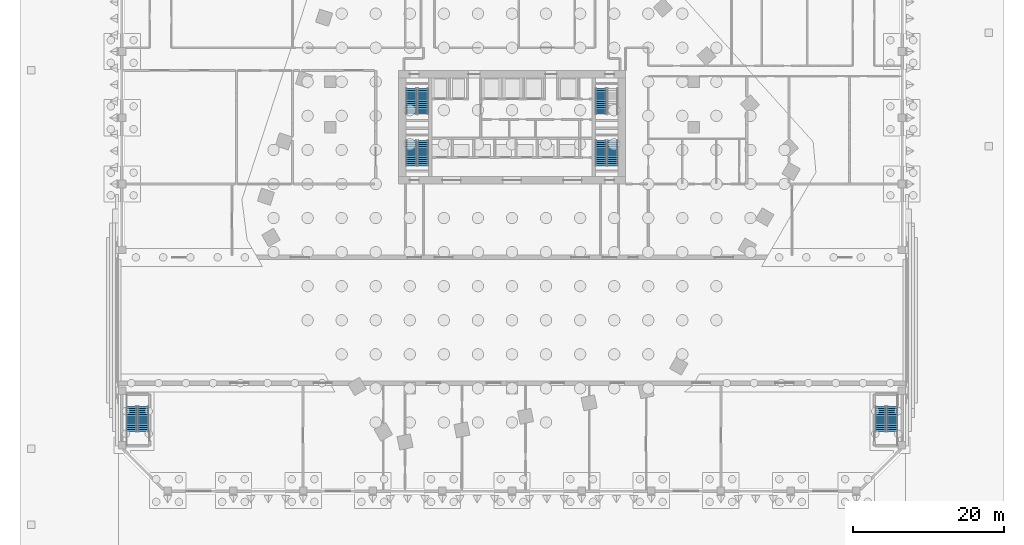
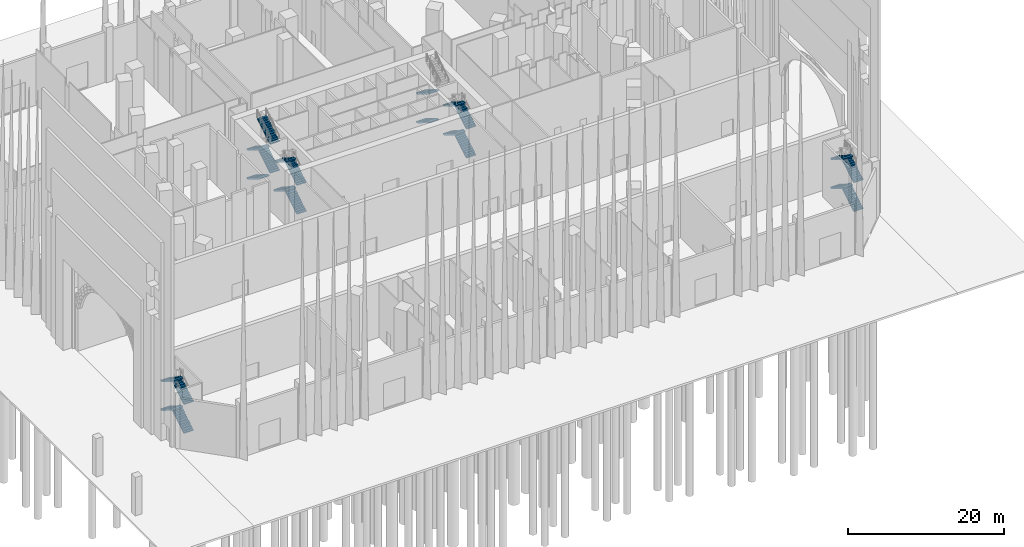
# One storey, part 16 of 32: 22 stair flights, 6 elements without a shape of their own.
"""IFC4 building model written with IfcOpenShell, lengths in metres."""

from ifc_helpers import new_model, si_unit, direction, frame, origin, place, context, subcontext, project, spatial, polyline, outline, extrude, material, type_object, element, aggregate, save


model = new_model("IFC4")

# Units and contexts
model_context = context("Model", 3, precision=1e-05, world=origin(), true_north=direction((0.0, 1.0)))
body_context = subcontext(model_context, "Body", "Model", "MODEL_VIEW")
ifc_project = project(units=[si_unit("LENGTHUNIT", "METRE"), si_unit("AREAUNIT", "SQUARE_METRE"), si_unit("VOLUMEUNIT", "CUBIC_METRE"), si_unit("PLANEANGLEUNIT", "RADIAN"), si_unit("MASSUNIT", "GRAM", prefix="KILO")], contexts=[model_context])

# Site, building, storey
site_placement = place(None, origin())
site = spatial("IfcSite", under=ifc_project, at=site_placement, CompositionType="ELEMENT")
building_placement = place(site_placement, origin())
building = spatial("IfcBuilding", under=site, at=building_placement, Name="Isthmus Gate Tower", CompositionType="ELEMENT")
storey_placement = place(building_placement, origin())
storey = spatial("IfcBuildingStorey", under=building, at=storey_placement, Name="L00", CompositionType="ELEMENT", Elevation=0.0)

# Stair, stair flights
ifc_material_1 = material(Name="Concrete f'c 40 MPa", Category="concrete")
stair_type_1 = type_object("IfcStairType", Name="Podium exit stair 1400 wide flights", PredefinedType="HALF_TURN_STAIR", material=ifc_material_1)
stair_1_placement = place(storey_placement, origin())
stair_1 = element("IfcStair", 1, at=stair_1_placement, inside=storey, type_object=stair_type_1, Name="L00 Podium Exit Stair ST3", PredefinedType="HALF_TURN_STAIR")
ifc_material_2 = material(Name="Concrete f'c 40 MPa", Category="concrete")
stair_flight_type_1 = type_object("IfcStairFlightType", Name="Podium stair flight 1400", PredefinedType="STRAIGHT", material=ifc_material_2)
stair_flight_1_placement = place(storey_placement, frame((-48.699951171875, -32.72509765625, 0.0), z_axis=(0.0, 0.0, 1.0), x_axis=(0.0, 1.0, 0.0)))
stair_flight_1 = element("IfcStairFlight", 2, at=stair_flight_1_placement, type_object=stair_flight_type_1, Name="ST3 flight 1", NumberOfRisers=13, NumberOfTreads=12, PredefinedType="STRAIGHT", RiserHeight=0.173076923, TreadLength=0.28, context=body_context, shape_type="SweptSolid", body=[
    extrude(outline(polyline([(0.0, 0.0), (0.0, 0.173095703125), (0.280029296875, 0.173095703125), (0.280029296875, 0.34619140625), (0.56005859375, 0.34619140625), (0.56005859375, 0.519287109375), (0.840087890625, 0.519287109375), (0.840087890625, 0.6923828125), (1.1201171875, 0.6923828125), (1.1201171875, 0.865478515625), (1.39990234375, 0.865478515625), (1.39990234375, 1.03857421875), (1.679931640625, 1.03857421875), (1.679931640625, 1.21142578125), (1.9599609375, 1.21142578125), (1.9599609375, 1.384521484375), (2.239990234375, 1.384521484375), (2.239990234375, 1.5576171875), (2.52001953125, 1.5576171875), (2.52001953125, 1.730712890625), (2.800048828125, 1.730712890625), (2.800048828125, 1.90380859375), (3.080078125, 1.90380859375), (3.080078125, 2.076904296875), (3.360107421875, 2.076904296875), (3.360107421875, 2.25), (3.360107421875, 1.900634765625), (0.28515625, 0.0), (0.0, 0.0)])), frame((0.0, 0.699951171875, 0.0), z_axis=(0.0, -1.0, 0.0), x_axis=(1.0, 0.0, 0.0)), (0.0, 0.0, 1.0), 1.39990234375),
])
stair_flight_2_placement = place(storey_placement, frame((-50.25, -29.364990234375, 2.25), z_axis=(0.0, 0.0, 1.0), x_axis=(0.0, -1.0, 0.0)))
stair_flight_2 = element("IfcStairFlight", 3, at=stair_flight_2_placement, type_object=stair_flight_type_1, Name="ST3 flight 2", NumberOfRisers=13, NumberOfTreads=12, PredefinedType="STRAIGHT", RiserHeight=0.173076923, TreadLength=0.28, context=body_context, shape_type="SweptSolid", body=[
    extrude(outline(polyline([(0.0, 0.0), (0.0, 0.173095703125), (0.280029296875, 0.173095703125), (0.280029296875, 0.34619140625), (0.56005859375, 0.34619140625), (0.56005859375, 0.519287109375), (0.840087890625, 0.519287109375), (0.840087890625, 0.6923828125), (1.1201171875, 0.6923828125), (1.1201171875, 0.865478515625), (1.39990234375, 0.865478515625), (1.39990234375, 1.03857421875), (1.679931640625, 1.03857421875), (1.679931640625, 1.21142578125), (1.9599609375, 1.21142578125), (1.9599609375, 1.384521484375), (2.239990234375, 1.384521484375), (2.239990234375, 1.5576171875), (2.52001953125, 1.5576171875), (2.52001953125, 1.730712890625), (2.800048828125, 1.730712890625), (2.800048828125, 1.90380859375), (3.080078125, 1.90380859375), (3.080078125, 2.076904296875), (3.360107421875, 2.076904296875), (3.360107421875, 2.25), (3.360107421875, 1.900634765625), (0.28515625, 0.0), (0.0, 0.0)])), frame((0.0, 0.699951171875, 0.0), z_axis=(0.0, -1.0, 0.0), x_axis=(1.0, 0.0, 0.0)), (0.0, 0.0, 1.0), 1.39990234375),
])
stair_flight_3_placement = place(storey_placement, frame((-48.699951171875, -32.72509765625, 4.5), z_axis=(0.0, 0.0, 1.0), x_axis=(0.0, 1.0, 0.0)))
stair_flight_3 = element("IfcStairFlight", 4, at=stair_flight_3_placement, type_object=stair_flight_type_1, Name="ST3 flight 3", NumberOfRisers=13, NumberOfTreads=12, PredefinedType="STRAIGHT", RiserHeight=0.173076923, TreadLength=0.28, context=body_context, shape_type="SweptSolid", body=[
    extrude(outline(polyline([(0.0, 0.0), (0.0, 0.173095703125), (0.280029296875, 0.173095703125), (0.280029296875, 0.34619140625), (0.56005859375, 0.34619140625), (0.56005859375, 0.519287109375), (0.840087890625, 0.519287109375), (0.840087890625, 0.6923828125), (1.1201171875, 0.6923828125), (1.1201171875, 0.865478515625), (1.39990234375, 0.865478515625), (1.39990234375, 1.03857421875), (1.679931640625, 1.03857421875), (1.679931640625, 1.21142578125), (1.9599609375, 1.21142578125), (1.9599609375, 1.384521484375), (2.239990234375, 1.384521484375), (2.239990234375, 1.5576171875), (2.52001953125, 1.5576171875), (2.52001953125, 1.730712890625), (2.800048828125, 1.730712890625), (2.800048828125, 1.90380859375), (3.080078125, 1.90380859375), (3.080078125, 2.076904296875), (3.360107421875, 2.076904296875), (3.360107421875, 2.25), (3.360107421875, 1.900634765625), (0.28515625, 0.0), (0.0, 0.0)])), frame((0.0, 0.699951171875, 0.0), z_axis=(0.0, -1.0, 0.0), x_axis=(1.0, 0.0, 0.0)), (0.0, 0.0, 1.0), 1.39990234375),
])
stair_flight_4_placement = place(storey_placement, frame((-50.25, -29.364990234375, 6.75), z_axis=(0.0, 0.0, 1.0), x_axis=(0.0, -1.0, 0.0)))
stair_flight_4 = element("IfcStairFlight", 5, at=stair_flight_4_placement, type_object=stair_flight_type_1, Name="ST3 flight 4", NumberOfRisers=13, NumberOfTreads=12, PredefinedType="STRAIGHT", RiserHeight=0.173076923, TreadLength=0.28, context=body_context, shape_type="SweptSolid", body=[
    extrude(outline(polyline([(0.0, 0.0), (0.0, 0.173095703125), (0.280029296875, 0.173095703125), (0.280029296875, 0.34619140625), (0.56005859375, 0.34619140625), (0.56005859375, 0.519287109375), (0.840087890625, 0.519287109375), (0.840087890625, 0.6923828125), (1.1201171875, 0.6923828125), (1.1201171875, 0.865478515625), (1.39990234375, 0.865478515625), (1.39990234375, 1.03857421875), (1.679931640625, 1.03857421875), (1.679931640625, 1.21142578125), (1.9599609375, 1.21142578125), (1.9599609375, 1.384521484375), (2.239990234375, 1.384521484375), (2.239990234375, 1.5576171875), (2.52001953125, 1.5576171875), (2.52001953125, 1.730712890625), (2.800048828125, 1.730712890625), (2.800048828125, 1.90380859375), (3.080078125, 1.90380859375), (3.080078125, 2.076904296875), (3.360107421875, 2.076904296875), (3.360107421875, 2.25), (3.360107421875, 1.900634765625), (0.28515625, 0.0), (0.0, 0.0)])), frame((0.0, 0.699951171875, 0.0), z_axis=(0.0, -1.0, 0.0), x_axis=(1.0, 0.0, 0.0)), (0.0, 0.0, 1.0), 1.39990234375),
])
aggregate(stair_1, [stair_flight_1, stair_flight_2, stair_flight_3, stair_flight_4])

stair_2_placement = place(storey_placement, origin())
stair_2 = element("IfcStair", 6, at=stair_2_placement, inside=storey, type_object=stair_type_1, Name="L00 Podium Exit Stair ST4", PredefinedType="HALF_TURN_STAIR")
stair_flight_5_placement = place(storey_placement, frame((50.25, -32.72509765625, 0.0), z_axis=(0.0, 0.0, 1.0), x_axis=(0.0, 1.0, 0.0)))
stair_flight_5 = element("IfcStairFlight", 7, at=stair_flight_5_placement, type_object=stair_flight_type_1, Name="ST4 flight 1", NumberOfRisers=13, NumberOfTreads=12, PredefinedType="STRAIGHT", RiserHeight=0.173076923, TreadLength=0.28, context=body_context, shape_type="SweptSolid", body=[
    extrude(outline(polyline([(0.0, 0.0), (0.0, 0.173095703125), (0.280029296875, 0.173095703125), (0.280029296875, 0.34619140625), (0.56005859375, 0.34619140625), (0.56005859375, 0.519287109375), (0.840087890625, 0.519287109375), (0.840087890625, 0.6923828125), (1.1201171875, 0.6923828125), (1.1201171875, 0.865478515625), (1.39990234375, 0.865478515625), (1.39990234375, 1.03857421875), (1.679931640625, 1.03857421875), (1.679931640625, 1.21142578125), (1.9599609375, 1.21142578125), (1.9599609375, 1.384521484375), (2.239990234375, 1.384521484375), (2.239990234375, 1.5576171875), (2.52001953125, 1.5576171875), (2.52001953125, 1.730712890625), (2.800048828125, 1.730712890625), (2.800048828125, 1.90380859375), (3.080078125, 1.90380859375), (3.080078125, 2.076904296875), (3.360107421875, 2.076904296875), (3.360107421875, 2.25), (3.360107421875, 1.900634765625), (0.28515625, 0.0), (0.0, 0.0)])), frame((0.0, 0.699951171875, 0.0), z_axis=(0.0, -1.0, 0.0), x_axis=(1.0, 0.0, 0.0)), (0.0, 0.0, 1.0), 1.39990234375),
])
stair_flight_6_placement = place(storey_placement, frame((48.699951171875, -29.364990234375, 2.25), z_axis=(0.0, 0.0, 1.0), x_axis=(0.0, -1.0, 0.0)))
stair_flight_6 = element("IfcStairFlight", 8, at=stair_flight_6_placement, type_object=stair_flight_type_1, Name="ST4 flight 2", NumberOfRisers=13, NumberOfTreads=12, PredefinedType="STRAIGHT", RiserHeight=0.173076923, TreadLength=0.28, context=body_context, shape_type="SweptSolid", body=[
    extrude(outline(polyline([(0.0, 0.0), (0.0, 0.173095703125), (0.280029296875, 0.173095703125), (0.280029296875, 0.34619140625), (0.56005859375, 0.34619140625), (0.56005859375, 0.519287109375), (0.840087890625, 0.519287109375), (0.840087890625, 0.6923828125), (1.1201171875, 0.6923828125), (1.1201171875, 0.865478515625), (1.39990234375, 0.865478515625), (1.39990234375, 1.03857421875), (1.679931640625, 1.03857421875), (1.679931640625, 1.21142578125), (1.9599609375, 1.21142578125), (1.9599609375, 1.384521484375), (2.239990234375, 1.384521484375), (2.239990234375, 1.5576171875), (2.52001953125, 1.5576171875), (2.52001953125, 1.730712890625), (2.800048828125, 1.730712890625), (2.800048828125, 1.90380859375), (3.080078125, 1.90380859375), (3.080078125, 2.076904296875), (3.360107421875, 2.076904296875), (3.360107421875, 2.25), (3.360107421875, 1.900634765625), (0.28515625, 0.0), (0.0, 0.0)])), frame((0.0, 0.699951171875, 0.0), z_axis=(0.0, -1.0, 0.0), x_axis=(1.0, 0.0, 0.0)), (0.0, 0.0, 1.0), 1.39990234375),
])
stair_flight_7_placement = place(storey_placement, frame((50.25, -32.72509765625, 4.5), z_axis=(0.0, 0.0, 1.0), x_axis=(0.0, 1.0, 0.0)))
stair_flight_7 = element("IfcStairFlight", 9, at=stair_flight_7_placement, type_object=stair_flight_type_1, Name="ST4 flight 3", NumberOfRisers=13, NumberOfTreads=12, PredefinedType="STRAIGHT", RiserHeight=0.173076923, TreadLength=0.28, context=body_context, shape_type="SweptSolid", body=[
    extrude(outline(polyline([(0.0, 0.0), (0.0, 0.173095703125), (0.280029296875, 0.173095703125), (0.280029296875, 0.34619140625), (0.56005859375, 0.34619140625), (0.56005859375, 0.519287109375), (0.840087890625, 0.519287109375), (0.840087890625, 0.6923828125), (1.1201171875, 0.6923828125), (1.1201171875, 0.865478515625), (1.39990234375, 0.865478515625), (1.39990234375, 1.03857421875), (1.679931640625, 1.03857421875), (1.679931640625, 1.21142578125), (1.9599609375, 1.21142578125), (1.9599609375, 1.384521484375), (2.239990234375, 1.384521484375), (2.239990234375, 1.5576171875), (2.52001953125, 1.5576171875), (2.52001953125, 1.730712890625), (2.800048828125, 1.730712890625), (2.800048828125, 1.90380859375), (3.080078125, 1.90380859375), (3.080078125, 2.076904296875), (3.360107421875, 2.076904296875), (3.360107421875, 2.25), (3.360107421875, 1.900634765625), (0.28515625, 0.0), (0.0, 0.0)])), frame((0.0, 0.699951171875, 0.0), z_axis=(0.0, -1.0, 0.0), x_axis=(1.0, 0.0, 0.0)), (0.0, 0.0, 1.0), 1.39990234375),
])
stair_flight_8_placement = place(storey_placement, frame((48.699951171875, -29.364990234375, 6.75), z_axis=(0.0, 0.0, 1.0), x_axis=(0.0, -1.0, 0.0)))
stair_flight_8 = element("IfcStairFlight", 10, at=stair_flight_8_placement, type_object=stair_flight_type_1, Name="ST4 flight 4", NumberOfRisers=13, NumberOfTreads=12, PredefinedType="STRAIGHT", RiserHeight=0.173076923, TreadLength=0.28, context=body_context, shape_type="SweptSolid", body=[
    extrude(outline(polyline([(0.0, 0.0), (0.0, 0.173095703125), (0.280029296875, 0.173095703125), (0.280029296875, 0.34619140625), (0.56005859375, 0.34619140625), (0.56005859375, 0.519287109375), (0.840087890625, 0.519287109375), (0.840087890625, 0.6923828125), (1.1201171875, 0.6923828125), (1.1201171875, 0.865478515625), (1.39990234375, 0.865478515625), (1.39990234375, 1.03857421875), (1.679931640625, 1.03857421875), (1.679931640625, 1.21142578125), (1.9599609375, 1.21142578125), (1.9599609375, 1.384521484375), (2.239990234375, 1.384521484375), (2.239990234375, 1.5576171875), (2.52001953125, 1.5576171875), (2.52001953125, 1.730712890625), (2.800048828125, 1.730712890625), (2.800048828125, 1.90380859375), (3.080078125, 1.90380859375), (3.080078125, 2.076904296875), (3.360107421875, 2.076904296875), (3.360107421875, 2.25), (3.360107421875, 1.900634765625), (0.28515625, 0.0), (0.0, 0.0)])), frame((0.0, 0.699951171875, 0.0), z_axis=(0.0, -1.0, 0.0), x_axis=(1.0, 0.0, 0.0)), (0.0, 0.0, 1.0), 1.39990234375),
])
aggregate(stair_2, [stair_flight_5, stair_flight_6, stair_flight_7, stair_flight_8])

ifc_material_3 = material(Name="Concrete f'c 40 MPa", Category="concrete")
stair_type_2 = type_object("IfcStairType", Name="CORE STAIR 52 RISERS", PredefinedType="HALF_TURN_STAIR", material=ifc_material_3)
stair_3_placement = place(storey_placement, origin())
stair_3 = element("IfcStair", 11, at=stair_3_placement, inside=storey, type_object=stair_type_2, Name="L00 Exit Stair 1", PredefinedType="HALF_TURN_STAIR")
ifc_material_4 = material(Name="Concrete f'c 40 MPa", Category="concrete")
stair_flight_type_2 = type_object("IfcStairFlightType", Name="STAIR FLIGHT RC 1400", PredefinedType="STRAIGHT", material=ifc_material_4)
stair_flight_9_placement = place(storey_placement, frame((-13.300048828125, 12.60009765625, 0.0), z_axis=(0.0, 0.0, 1.0), x_axis=(0.0, -1.0, 0.0)))
stair_flight_9 = element("IfcStairFlight", 12, at=stair_flight_9_placement, type_object=stair_flight_type_2, Name="ST1 flight 1", NumberOfRisers=13, NumberOfTreads=12, PredefinedType="STRAIGHT", RiserHeight=0.173076923, TreadLength=0.28, context=body_context, shape_type="SweptSolid", body=[
    extrude(outline(polyline([(0.0, 0.0), (0.0, 0.173095703125), (0.280029296875, 0.173095703125), (0.280029296875, 0.34619140625), (0.56005859375, 0.34619140625), (0.56005859375, 0.519287109375), (0.840087890625, 0.519287109375), (0.840087890625, 0.6923828125), (1.1201171875, 0.6923828125), (1.1201171875, 0.865478515625), (1.39990234375, 0.865478515625), (1.39990234375, 1.03857421875), (1.679931640625, 1.03857421875), (1.679931640625, 1.21142578125), (1.9599609375, 1.21142578125), (1.9599609375, 1.384521484375), (2.239990234375, 1.384521484375), (2.239990234375, 1.5576171875), (2.52001953125, 1.5576171875), (2.52001953125, 1.730712890625), (2.800048828125, 1.730712890625), (2.800048828125, 1.90380859375), (3.080078125, 1.90380859375), (3.080078125, 2.076904296875), (3.360107421875, 2.076904296875), (3.360107421875, 2.25), (3.360107421875, 1.900634765625), (0.28515625, 0.0), (0.0, 0.0)])), frame((0.0, 0.699951171875, 0.0), z_axis=(0.0, -1.0, 0.0), x_axis=(1.0, 0.0, 0.0)), (0.0, 0.0, 1.0), 1.39990234375),
])
stair_flight_10_placement = place(storey_placement, frame((-11.75, 9.239990234375, 2.25), z_axis=(0.0, 0.0, 1.0), x_axis=(0.0, 1.0, 0.0)))
stair_flight_10 = element("IfcStairFlight", 13, at=stair_flight_10_placement, type_object=stair_flight_type_2, Name="ST1 flight 2", NumberOfRisers=13, NumberOfTreads=12, PredefinedType="STRAIGHT", RiserHeight=0.173076923, TreadLength=0.28, context=body_context, shape_type="SweptSolid", body=[
    extrude(outline(polyline([(0.0, 0.0), (0.0, 0.173095703125), (0.280029296875, 0.173095703125), (0.280029296875, 0.34619140625), (0.56005859375, 0.34619140625), (0.56005859375, 0.519287109375), (0.840087890625, 0.519287109375), (0.840087890625, 0.6923828125), (1.1201171875, 0.6923828125), (1.1201171875, 0.865478515625), (1.39990234375, 0.865478515625), (1.39990234375, 1.03857421875), (1.679931640625, 1.03857421875), (1.679931640625, 1.21142578125), (1.9599609375, 1.21142578125), (1.9599609375, 1.384521484375), (2.239990234375, 1.384521484375), (2.239990234375, 1.5576171875), (2.52001953125, 1.5576171875), (2.52001953125, 1.730712890625), (2.800048828125, 1.730712890625), (2.800048828125, 1.90380859375), (3.080078125, 1.90380859375), (3.080078125, 2.076904296875), (3.360107421875, 2.076904296875), (3.360107421875, 2.25), (3.360107421875, 1.900634765625), (0.28515625, 0.0), (0.0, 0.0)])), frame((0.0, 0.699951171875, 0.0), z_axis=(0.0, -1.0, 0.0), x_axis=(1.0, 0.0, 0.0)), (0.0, 0.0, 1.0), 1.39990234375),
])
stair_flight_11_placement = place(storey_placement, frame((-13.300048828125, 12.60009765625, 4.5), z_axis=(0.0, 0.0, 1.0), x_axis=(0.0, -1.0, 0.0)))
stair_flight_11 = element("IfcStairFlight", 14, at=stair_flight_11_placement, type_object=stair_flight_type_2, Name="ST1 flight 3", NumberOfRisers=13, NumberOfTreads=12, PredefinedType="STRAIGHT", RiserHeight=0.173076923, TreadLength=0.28, context=body_context, shape_type="SweptSolid", body=[
    extrude(outline(polyline([(0.0, 0.0), (0.0, 0.173095703125), (0.280029296875, 0.173095703125), (0.280029296875, 0.34619140625), (0.56005859375, 0.34619140625), (0.56005859375, 0.519287109375), (0.840087890625, 0.519287109375), (0.840087890625, 0.6923828125), (1.1201171875, 0.6923828125), (1.1201171875, 0.865478515625), (1.39990234375, 0.865478515625), (1.39990234375, 1.03857421875), (1.679931640625, 1.03857421875), (1.679931640625, 1.21142578125), (1.9599609375, 1.21142578125), (1.9599609375, 1.384521484375), (2.239990234375, 1.384521484375), (2.239990234375, 1.5576171875), (2.52001953125, 1.5576171875), (2.52001953125, 1.730712890625), (2.800048828125, 1.730712890625), (2.800048828125, 1.90380859375), (3.080078125, 1.90380859375), (3.080078125, 2.076904296875), (3.360107421875, 2.076904296875), (3.360107421875, 2.25), (3.360107421875, 1.900634765625), (0.28515625, 0.0), (0.0, 0.0)])), frame((0.0, 0.699951171875, 0.0), z_axis=(0.0, -1.0, 0.0), x_axis=(1.0, 0.0, 0.0)), (0.0, 0.0, 1.0), 1.39990234375),
])
stair_flight_12_placement = place(storey_placement, frame((-11.75, 9.239990234375, 6.75), z_axis=(0.0, 0.0, 1.0), x_axis=(0.0, 1.0, 0.0)))
stair_flight_12 = element("IfcStairFlight", 15, at=stair_flight_12_placement, type_object=stair_flight_type_2, Name="ST1 flight 4", NumberOfRisers=13, NumberOfTreads=12, PredefinedType="STRAIGHT", RiserHeight=0.173076923, TreadLength=0.28, context=body_context, shape_type="SweptSolid", body=[
    extrude(outline(polyline([(0.0, 0.0), (0.0, 0.173095703125), (0.280029296875, 0.173095703125), (0.280029296875, 0.34619140625), (0.56005859375, 0.34619140625), (0.56005859375, 0.519287109375), (0.840087890625, 0.519287109375), (0.840087890625, 0.6923828125), (1.1201171875, 0.6923828125), (1.1201171875, 0.865478515625), (1.39990234375, 0.865478515625), (1.39990234375, 1.03857421875), (1.679931640625, 1.03857421875), (1.679931640625, 1.21142578125), (1.9599609375, 1.21142578125), (1.9599609375, 1.384521484375), (2.239990234375, 1.384521484375), (2.239990234375, 1.5576171875), (2.52001953125, 1.5576171875), (2.52001953125, 1.730712890625), (2.800048828125, 1.730712890625), (2.800048828125, 1.90380859375), (3.080078125, 1.90380859375), (3.080078125, 2.076904296875), (3.360107421875, 2.076904296875), (3.360107421875, 2.25), (3.360107421875, 1.900634765625), (0.28515625, 0.0), (0.0, 0.0)])), frame((0.0, 0.699951171875, 0.0), z_axis=(0.0, -1.0, 0.0), x_axis=(1.0, 0.0, 0.0)), (0.0, 0.0, 1.0), 1.39990234375),
])
aggregate(stair_3, [stair_flight_9, stair_flight_10, stair_flight_11, stair_flight_12])

stair_4_placement = place(storey_placement, origin())
stair_4 = element("IfcStair", 16, at=stair_4_placement, inside=storey, type_object=stair_type_2, Name="L00 Exit Stair 2", PredefinedType="HALF_TURN_STAIR")
stair_flight_13_placement = place(storey_placement, frame((11.75, 12.60009765625, 0.0), z_axis=(0.0, 0.0, 1.0), x_axis=(0.0, -1.0, 0.0)))
stair_flight_13 = element("IfcStairFlight", 17, at=stair_flight_13_placement, type_object=stair_flight_type_2, Name="ST2 flight 1", NumberOfRisers=13, NumberOfTreads=12, PredefinedType="STRAIGHT", RiserHeight=0.173076923, TreadLength=0.28, context=body_context, shape_type="SweptSolid", body=[
    extrude(outline(polyline([(0.0, 0.0), (0.0, 0.173095703125), (0.280029296875, 0.173095703125), (0.280029296875, 0.34619140625), (0.56005859375, 0.34619140625), (0.56005859375, 0.519287109375), (0.840087890625, 0.519287109375), (0.840087890625, 0.6923828125), (1.1201171875, 0.6923828125), (1.1201171875, 0.865478515625), (1.39990234375, 0.865478515625), (1.39990234375, 1.03857421875), (1.679931640625, 1.03857421875), (1.679931640625, 1.21142578125), (1.9599609375, 1.21142578125), (1.9599609375, 1.384521484375), (2.239990234375, 1.384521484375), (2.239990234375, 1.5576171875), (2.52001953125, 1.5576171875), (2.52001953125, 1.730712890625), (2.800048828125, 1.730712890625), (2.800048828125, 1.90380859375), (3.080078125, 1.90380859375), (3.080078125, 2.076904296875), (3.360107421875, 2.076904296875), (3.360107421875, 2.25), (3.360107421875, 1.900634765625), (0.28515625, 0.0), (0.0, 0.0)])), frame((0.0, 0.699951171875, 0.0), z_axis=(0.0, -1.0, 0.0), x_axis=(1.0, 0.0, 0.0)), (0.0, 0.0, 1.0), 1.39990234375),
])
stair_flight_14_placement = place(storey_placement, frame((11.75, 12.60009765625, 4.5), z_axis=(0.0, 0.0, 1.0), x_axis=(0.0, -1.0, 0.0)))
stair_flight_14 = element("IfcStairFlight", 18, at=stair_flight_14_placement, type_object=stair_flight_type_2, Name="ST2 flight 3", NumberOfRisers=13, NumberOfTreads=12, PredefinedType="STRAIGHT", RiserHeight=0.173076923, TreadLength=0.28, context=body_context, shape_type="SweptSolid", body=[
    extrude(outline(polyline([(0.0, 0.0), (0.0, 0.173095703125), (0.280029296875, 0.173095703125), (0.280029296875, 0.34619140625), (0.56005859375, 0.34619140625), (0.56005859375, 0.519287109375), (0.840087890625, 0.519287109375), (0.840087890625, 0.6923828125), (1.1201171875, 0.6923828125), (1.1201171875, 0.865478515625), (1.39990234375, 0.865478515625), (1.39990234375, 1.03857421875), (1.679931640625, 1.03857421875), (1.679931640625, 1.21142578125), (1.9599609375, 1.21142578125), (1.9599609375, 1.384521484375), (2.239990234375, 1.384521484375), (2.239990234375, 1.5576171875), (2.52001953125, 1.5576171875), (2.52001953125, 1.730712890625), (2.800048828125, 1.730712890625), (2.800048828125, 1.90380859375), (3.080078125, 1.90380859375), (3.080078125, 2.076904296875), (3.360107421875, 2.076904296875), (3.360107421875, 2.25), (3.360107421875, 1.900634765625), (0.28515625, 0.0), (0.0, 0.0)])), frame((0.0, 0.699951171875, 0.0), z_axis=(0.0, -1.0, 0.0), x_axis=(1.0, 0.0, 0.0)), (0.0, 0.0, 1.0), 1.39990234375),
])
aggregate(stair_4, [stair_flight_13, stair_flight_14])

stair_5_placement = place(storey_placement, origin())
stair_5 = element("IfcStair", 19, at=stair_5_placement, inside=storey, type_object=stair_type_2, Name="L00 Exit Stair 7", PredefinedType="HALF_TURN_STAIR")
stair_flight_15_placement = place(storey_placement, frame((-11.75, 2.39990234375, 0.0), z_axis=(0.0, 0.0, 1.0), x_axis=(0.0, 1.0, 0.0)))
stair_flight_15 = element("IfcStairFlight", 20, at=stair_flight_15_placement, type_object=stair_flight_type_2, Name="ST7 flight 1", NumberOfRisers=13, NumberOfTreads=12, PredefinedType="STRAIGHT", RiserHeight=0.173076923, TreadLength=0.28, context=body_context, shape_type="SweptSolid", body=[
    extrude(outline(polyline([(0.0, 0.0), (0.0, 0.173095703125), (0.280029296875, 0.173095703125), (0.280029296875, 0.34619140625), (0.56005859375, 0.34619140625), (0.56005859375, 0.519287109375), (0.840087890625, 0.519287109375), (0.840087890625, 0.6923828125), (1.1201171875, 0.6923828125), (1.1201171875, 0.865478515625), (1.39990234375, 0.865478515625), (1.39990234375, 1.03857421875), (1.679931640625, 1.03857421875), (1.679931640625, 1.21142578125), (1.9599609375, 1.21142578125), (1.9599609375, 1.384521484375), (2.239990234375, 1.384521484375), (2.239990234375, 1.5576171875), (2.52001953125, 1.5576171875), (2.52001953125, 1.730712890625), (2.800048828125, 1.730712890625), (2.800048828125, 1.90380859375), (3.080078125, 1.90380859375), (3.080078125, 2.076904296875), (3.360107421875, 2.076904296875), (3.360107421875, 2.25), (3.360107421875, 1.900634765625), (0.28515625, 0.0), (0.0, 0.0)])), frame((0.0, 0.699951171875, 0.0), z_axis=(0.0, -1.0, 0.0), x_axis=(1.0, 0.0, 0.0)), (0.0, 0.0, 1.0), 1.39990234375),
])
stair_flight_16_placement = place(storey_placement, frame((-13.300048828125, 5.760009765625, 2.25), z_axis=(0.0, 0.0, 1.0), x_axis=(0.0, -1.0, 0.0)))
stair_flight_16 = element("IfcStairFlight", 21, at=stair_flight_16_placement, type_object=stair_flight_type_2, Name="ST7 flight 2", NumberOfRisers=13, NumberOfTreads=12, PredefinedType="STRAIGHT", RiserHeight=0.173076923, TreadLength=0.28, context=body_context, shape_type="SweptSolid", body=[
    extrude(outline(polyline([(0.0, 0.0), (0.0, 0.173095703125), (0.280029296875, 0.173095703125), (0.280029296875, 0.34619140625), (0.56005859375, 0.34619140625), (0.56005859375, 0.519287109375), (0.840087890625, 0.519287109375), (0.840087890625, 0.6923828125), (1.1201171875, 0.6923828125), (1.1201171875, 0.865478515625), (1.39990234375, 0.865478515625), (1.39990234375, 1.03857421875), (1.679931640625, 1.03857421875), (1.679931640625, 1.21142578125), (1.9599609375, 1.21142578125), (1.9599609375, 1.384521484375), (2.239990234375, 1.384521484375), (2.239990234375, 1.5576171875), (2.52001953125, 1.5576171875), (2.52001953125, 1.730712890625), (2.800048828125, 1.730712890625), (2.800048828125, 1.90380859375), (3.080078125, 1.90380859375), (3.080078125, 2.076904296875), (3.360107421875, 2.076904296875), (3.360107421875, 2.25), (3.360107421875, 1.900634765625), (0.28515625, 0.0), (0.0, 0.0)])), frame((0.0, 0.699951171875, 0.0), z_axis=(0.0, -1.0, 0.0), x_axis=(1.0, 0.0, 0.0)), (0.0, 0.0, 1.0), 1.39990234375),
])
stair_flight_17_placement = place(storey_placement, frame((-11.75, 2.39990234375, 4.5), z_axis=(0.0, 0.0, 1.0), x_axis=(0.0, 1.0, 0.0)))
stair_flight_17 = element("IfcStairFlight", 22, at=stair_flight_17_placement, type_object=stair_flight_type_2, Name="ST7 flight 3", NumberOfRisers=13, NumberOfTreads=12, PredefinedType="STRAIGHT", RiserHeight=0.173076923, TreadLength=0.28, context=body_context, shape_type="SweptSolid", body=[
    extrude(outline(polyline([(0.0, 0.0), (0.0, 0.173095703125), (0.280029296875, 0.173095703125), (0.280029296875, 0.34619140625), (0.56005859375, 0.34619140625), (0.56005859375, 0.519287109375), (0.840087890625, 0.519287109375), (0.840087890625, 0.6923828125), (1.1201171875, 0.6923828125), (1.1201171875, 0.865478515625), (1.39990234375, 0.865478515625), (1.39990234375, 1.03857421875), (1.679931640625, 1.03857421875), (1.679931640625, 1.21142578125), (1.9599609375, 1.21142578125), (1.9599609375, 1.384521484375), (2.239990234375, 1.384521484375), (2.239990234375, 1.5576171875), (2.52001953125, 1.5576171875), (2.52001953125, 1.730712890625), (2.800048828125, 1.730712890625), (2.800048828125, 1.90380859375), (3.080078125, 1.90380859375), (3.080078125, 2.076904296875), (3.360107421875, 2.076904296875), (3.360107421875, 2.25), (3.360107421875, 1.900634765625), (0.28515625, 0.0), (0.0, 0.0)])), frame((0.0, 0.699951171875, 0.0), z_axis=(0.0, -1.0, 0.0), x_axis=(1.0, 0.0, 0.0)), (0.0, 0.0, 1.0), 1.39990234375),
])
stair_flight_18_placement = place(storey_placement, frame((-13.300048828125, 5.760009765625, 6.75), z_axis=(0.0, 0.0, 1.0), x_axis=(0.0, -1.0, 0.0)))
stair_flight_18 = element("IfcStairFlight", 23, at=stair_flight_18_placement, type_object=stair_flight_type_2, Name="ST7 flight 4", NumberOfRisers=13, NumberOfTreads=12, PredefinedType="STRAIGHT", RiserHeight=0.173076923, TreadLength=0.28, context=body_context, shape_type="SweptSolid", body=[
    extrude(outline(polyline([(0.0, 0.0), (0.0, 0.173095703125), (0.280029296875, 0.173095703125), (0.280029296875, 0.34619140625), (0.56005859375, 0.34619140625), (0.56005859375, 0.519287109375), (0.840087890625, 0.519287109375), (0.840087890625, 0.6923828125), (1.1201171875, 0.6923828125), (1.1201171875, 0.865478515625), (1.39990234375, 0.865478515625), (1.39990234375, 1.03857421875), (1.679931640625, 1.03857421875), (1.679931640625, 1.21142578125), (1.9599609375, 1.21142578125), (1.9599609375, 1.384521484375), (2.239990234375, 1.384521484375), (2.239990234375, 1.5576171875), (2.52001953125, 1.5576171875), (2.52001953125, 1.730712890625), (2.800048828125, 1.730712890625), (2.800048828125, 1.90380859375), (3.080078125, 1.90380859375), (3.080078125, 2.076904296875), (3.360107421875, 2.076904296875), (3.360107421875, 2.25), (3.360107421875, 1.900634765625), (0.28515625, 0.0), (0.0, 0.0)])), frame((0.0, 0.699951171875, 0.0), z_axis=(0.0, -1.0, 0.0), x_axis=(1.0, 0.0, 0.0)), (0.0, 0.0, 1.0), 1.39990234375),
])
aggregate(stair_5, [stair_flight_15, stair_flight_16, stair_flight_17, stair_flight_18])

stair_6_placement = place(storey_placement, origin())
stair_6 = element("IfcStair", 24, at=stair_6_placement, inside=storey, type_object=stair_type_2, Name="L00 Exit Stair 8", PredefinedType="HALF_TURN_STAIR")
stair_flight_19_placement = place(storey_placement, frame((13.300048828125, 2.39990234375, 0.0), z_axis=(0.0, 0.0, 1.0), x_axis=(0.0, 1.0, 0.0)))
stair_flight_19 = element("IfcStairFlight", 25, at=stair_flight_19_placement, type_object=stair_flight_type_2, Name="ST8 flight 1", NumberOfRisers=13, NumberOfTreads=12, PredefinedType="STRAIGHT", RiserHeight=0.173076923, TreadLength=0.28, context=body_context, shape_type="SweptSolid", body=[
    extrude(outline(polyline([(0.0, 0.0), (0.0, 0.173095703125), (0.280029296875, 0.173095703125), (0.280029296875, 0.34619140625), (0.56005859375, 0.34619140625), (0.56005859375, 0.519287109375), (0.840087890625, 0.519287109375), (0.840087890625, 0.6923828125), (1.1201171875, 0.6923828125), (1.1201171875, 0.865478515625), (1.39990234375, 0.865478515625), (1.39990234375, 1.03857421875), (1.679931640625, 1.03857421875), (1.679931640625, 1.21142578125), (1.9599609375, 1.21142578125), (1.9599609375, 1.384521484375), (2.239990234375, 1.384521484375), (2.239990234375, 1.5576171875), (2.52001953125, 1.5576171875), (2.52001953125, 1.730712890625), (2.800048828125, 1.730712890625), (2.800048828125, 1.90380859375), (3.080078125, 1.90380859375), (3.080078125, 2.076904296875), (3.360107421875, 2.076904296875), (3.360107421875, 2.25), (3.360107421875, 1.900634765625), (0.28515625, 0.0), (0.0, 0.0)])), frame((0.0, 0.699951171875, 0.0), z_axis=(0.0, -1.0, 0.0), x_axis=(1.0, 0.0, 0.0)), (0.0, 0.0, 1.0), 1.39990234375),
])
stair_flight_20_placement = place(storey_placement, frame((11.75, 5.760009765625, 2.25), z_axis=(0.0, 0.0, 1.0), x_axis=(0.0, -1.0, 0.0)))
stair_flight_20 = element("IfcStairFlight", 26, at=stair_flight_20_placement, type_object=stair_flight_type_2, Name="ST8 flight 2", NumberOfRisers=13, NumberOfTreads=12, PredefinedType="STRAIGHT", RiserHeight=0.173076923, TreadLength=0.28, context=body_context, shape_type="SweptSolid", body=[
    extrude(outline(polyline([(0.0, 0.0), (0.0, 0.173095703125), (0.280029296875, 0.173095703125), (0.280029296875, 0.34619140625), (0.56005859375, 0.34619140625), (0.56005859375, 0.519287109375), (0.840087890625, 0.519287109375), (0.840087890625, 0.6923828125), (1.1201171875, 0.6923828125), (1.1201171875, 0.865478515625), (1.39990234375, 0.865478515625), (1.39990234375, 1.03857421875), (1.679931640625, 1.03857421875), (1.679931640625, 1.21142578125), (1.9599609375, 1.21142578125), (1.9599609375, 1.384521484375), (2.239990234375, 1.384521484375), (2.239990234375, 1.5576171875), (2.52001953125, 1.5576171875), (2.52001953125, 1.730712890625), (2.800048828125, 1.730712890625), (2.800048828125, 1.90380859375), (3.080078125, 1.90380859375), (3.080078125, 2.076904296875), (3.360107421875, 2.076904296875), (3.360107421875, 2.25), (3.360107421875, 1.900634765625), (0.28515625, 0.0), (0.0, 0.0)])), frame((0.0, 0.699951171875, 0.0), z_axis=(0.0, -1.0, 0.0), x_axis=(1.0, 0.0, 0.0)), (0.0, 0.0, 1.0), 1.39990234375),
])
stair_flight_21_placement = place(storey_placement, frame((13.300048828125, 2.39990234375, 4.5), z_axis=(0.0, 0.0, 1.0), x_axis=(0.0, 1.0, 0.0)))
stair_flight_21 = element("IfcStairFlight", 27, at=stair_flight_21_placement, type_object=stair_flight_type_2, Name="ST8 flight 3", NumberOfRisers=13, NumberOfTreads=12, PredefinedType="STRAIGHT", RiserHeight=0.173076923, TreadLength=0.28, context=body_context, shape_type="SweptSolid", body=[
    extrude(outline(polyline([(0.0, 0.0), (0.0, 0.173095703125), (0.280029296875, 0.173095703125), (0.280029296875, 0.34619140625), (0.56005859375, 0.34619140625), (0.56005859375, 0.519287109375), (0.840087890625, 0.519287109375), (0.840087890625, 0.6923828125), (1.1201171875, 0.6923828125), (1.1201171875, 0.865478515625), (1.39990234375, 0.865478515625), (1.39990234375, 1.03857421875), (1.679931640625, 1.03857421875), (1.679931640625, 1.21142578125), (1.9599609375, 1.21142578125), (1.9599609375, 1.384521484375), (2.239990234375, 1.384521484375), (2.239990234375, 1.5576171875), (2.52001953125, 1.5576171875), (2.52001953125, 1.730712890625), (2.800048828125, 1.730712890625), (2.800048828125, 1.90380859375), (3.080078125, 1.90380859375), (3.080078125, 2.076904296875), (3.360107421875, 2.076904296875), (3.360107421875, 2.25), (3.360107421875, 1.900634765625), (0.28515625, 0.0), (0.0, 0.0)])), frame((0.0, 0.699951171875, 0.0), z_axis=(0.0, -1.0, 0.0), x_axis=(1.0, 0.0, 0.0)), (0.0, 0.0, 1.0), 1.39990234375),
])
stair_flight_22_placement = place(storey_placement, frame((11.75, 5.760009765625, 6.75), z_axis=(0.0, 0.0, 1.0), x_axis=(0.0, -1.0, 0.0)))
stair_flight_22 = element("IfcStairFlight", 28, at=stair_flight_22_placement, type_object=stair_flight_type_2, Name="ST8 flight 4", NumberOfRisers=13, NumberOfTreads=12, PredefinedType="STRAIGHT", RiserHeight=0.173076923, TreadLength=0.28, context=body_context, shape_type="SweptSolid", body=[
    extrude(outline(polyline([(0.0, 0.0), (0.0, 0.173095703125), (0.280029296875, 0.173095703125), (0.280029296875, 0.34619140625), (0.56005859375, 0.34619140625), (0.56005859375, 0.519287109375), (0.840087890625, 0.519287109375), (0.840087890625, 0.6923828125), (1.1201171875, 0.6923828125), (1.1201171875, 0.865478515625), (1.39990234375, 0.865478515625), (1.39990234375, 1.03857421875), (1.679931640625, 1.03857421875), (1.679931640625, 1.21142578125), (1.9599609375, 1.21142578125), (1.9599609375, 1.384521484375), (2.239990234375, 1.384521484375), (2.239990234375, 1.5576171875), (2.52001953125, 1.5576171875), (2.52001953125, 1.730712890625), (2.800048828125, 1.730712890625), (2.800048828125, 1.90380859375), (3.080078125, 1.90380859375), (3.080078125, 2.076904296875), (3.360107421875, 2.076904296875), (3.360107421875, 2.25), (3.360107421875, 1.900634765625), (0.28515625, 0.0), (0.0, 0.0)])), frame((0.0, 0.699951171875, 0.0), z_axis=(0.0, -1.0, 0.0), x_axis=(1.0, 0.0, 0.0)), (0.0, 0.0, 1.0), 1.39990234375),
])
aggregate(stair_6, [stair_flight_19, stair_flight_20, stair_flight_21, stair_flight_22])

save(model, "model.ifc")
